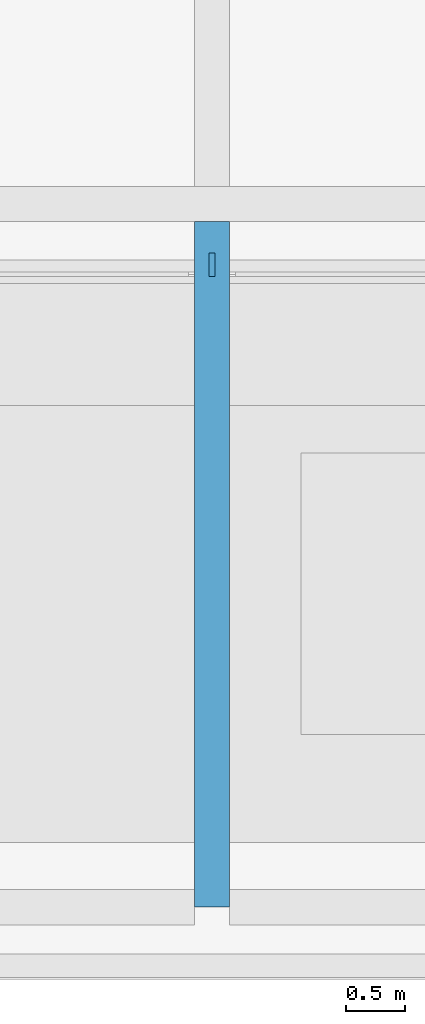
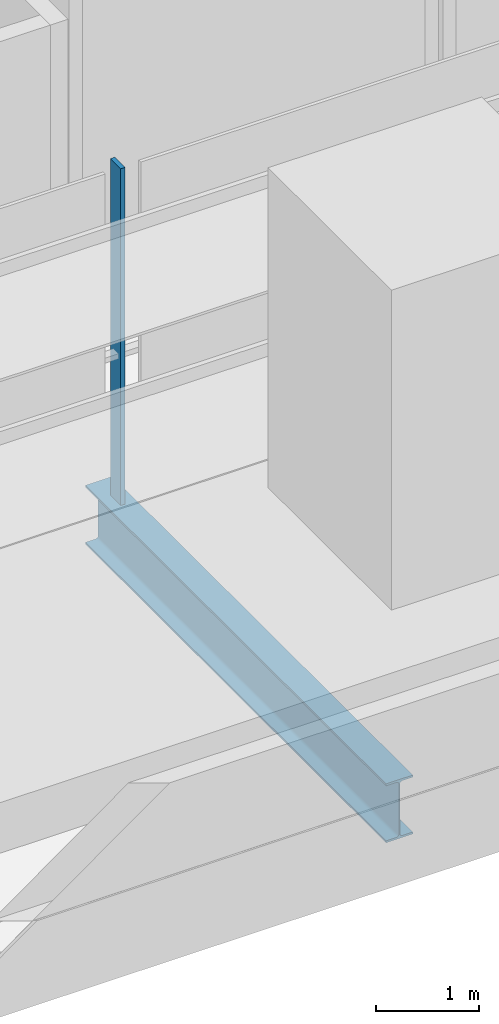
# One storey, part 6 of 26: 1 beam, 1 member, 1 element without a shape of its own.
"""IFC4 building model written with IfcOpenShell, lengths in metres."""

from ifc_helpers import new_model, si_unit, direction, frame, origin, origin_2d, place, context, subcontext, project, spatial, rectangle, i_section, extrude, material, material_profile, profile_set, type_object, element, aggregate, save


model = new_model("IFC4")

# Units and contexts
model_context = context("Model", 3, precision=1e-05, world=origin(), true_north=direction((0.0, 1.0)))
body_context = subcontext(model_context, "Body", "Model", "MODEL_VIEW")
ifc_project = project(units=[si_unit("LENGTHUNIT", "METRE"), si_unit("AREAUNIT", "SQUARE_METRE"), si_unit("VOLUMEUNIT", "CUBIC_METRE"), si_unit("PLANEANGLEUNIT", "RADIAN"), si_unit("MASSUNIT", "GRAM", prefix="KILO")], contexts=[model_context])

# Site, building, storey
site_placement = place(None, origin())
site = spatial("IfcSite", under=ifc_project, at=site_placement, CompositionType="ELEMENT")
building_placement = place(site_placement, origin())
building = spatial("IfcBuilding", under=site, at=building_placement, Name="Sorahane Residences", CompositionType="ELEMENT")
storey_placement = place(building_placement, frame((0.0, 0.0, 337.800048828125)))
storey = spatial("IfcBuildingStorey", under=building, at=storey_placement, Name="L80", CompositionType="ELEMENT", Elevation=337.800048828125)

# Curtain wall, member
ifc_material_1 = material(Name="Dark low-e glass and black anodised aluminium", Category="aluminium")
curtain_wall_type = type_object("IfcCurtainWallType", Name="Curtain wall CW-6 Crown unitised wall", PredefinedType="NOTDEFINED", material=ifc_material_1)
curtain_wall_placement = place(storey_placement, origin())
curtain_wall = element("IfcCurtainWall", 1, at=curtain_wall_placement, inside=storey, type_object=curtain_wall_type, Name="CW-6 curtain wall L80 S1", PredefinedType="NOTDEFINED")
ifc_material_2 = material(Name="Black anodised aluminium", Category="aluminium")
ifc_material_profile_1 = material_profile(ifc_material_2, rectangle(XDim=0.199951171875, YDim=0.050048828125, at=origin_2d()), Name="Curtain wall mullion CW-6 black anodised aluminium 50x200")
ifc_profile_set_1 = profile_set([ifc_material_profile_1], Name="Black anodised aluminium")
member_type = type_object("IfcMemberType", Name="Curtain wall mullion CW-6 black anodised aluminium 50x200", PredefinedType="MULLION", material=ifc_profile_set_1)
member_placement = place(storey_placement, frame((18.0, 11.47998046875, -0.25), z_axis=(0.0, 0.0, 1.0), x_axis=(0.0, -1.0, 0.0)))
member = element("IfcMember", 2, at=member_placement, type_object=member_type, Name="CW-6 mullion L80 S1.5", PredefinedType="MULLION", context=body_context, shape_type="SweptSolid", body=[
    extrude(rectangle(XDim=0.199951171875, YDim=0.050048828125, at=origin_2d()), origin(), (0.0, 0.0, 1.0), 4.0),
])
aggregate(curtain_wall, [member])

# Beam
ifc_material_3 = material(Name="Steel Q355B", Category="steel")
ifc_material_profile_2 = material_profile(ifc_material_3, i_section(OverallWidth=0.300048828125, OverallDepth=0.699951171875, WebThickness=0.012939453125, FlangeThickness=0.02392578125, FilletRadius=0.028076171875, at=origin_2d()), Name="HN 700x300x13x24")
ifc_profile_set_2 = profile_set([ifc_material_profile_2], Name="Steel Q355B")
beam_type = type_object("IfcBeamType", Name="Steel floor beam HN 700x300x13x24 Q355B", PredefinedType="BEAM", material=ifc_profile_set_2)
beam_placement = place(storey_placement, frame((18.0, 6.0, -0.60009765625), z_axis=(0.0, 1.0, 0.0), x_axis=(-1.0, 0.0, 0.0)))
element("IfcBeam", 3, at=beam_placement, inside=storey, type_object=beam_type, Name="Beam L80 034", PredefinedType="BEAM", context=body_context, shape_type="SweptSolid", body=[
    extrude(i_section(OverallWidth=0.300048828125, OverallDepth=0.699951171875, WebThickness=0.012939453125, FlangeThickness=0.02392578125, FilletRadius=0.028076171875, at=origin_2d()), origin(), (0.0, 0.0, 1.0), 5.85009765625),
])

save(model, "model.ifc")
